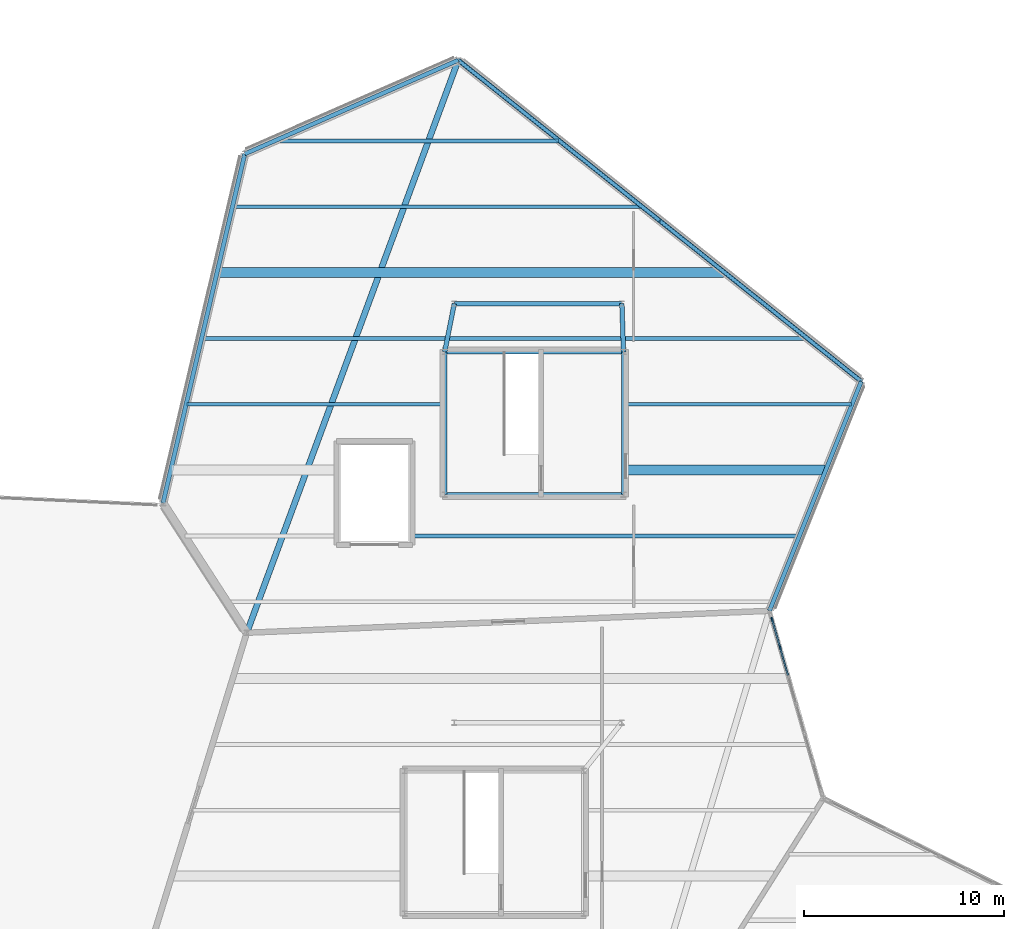
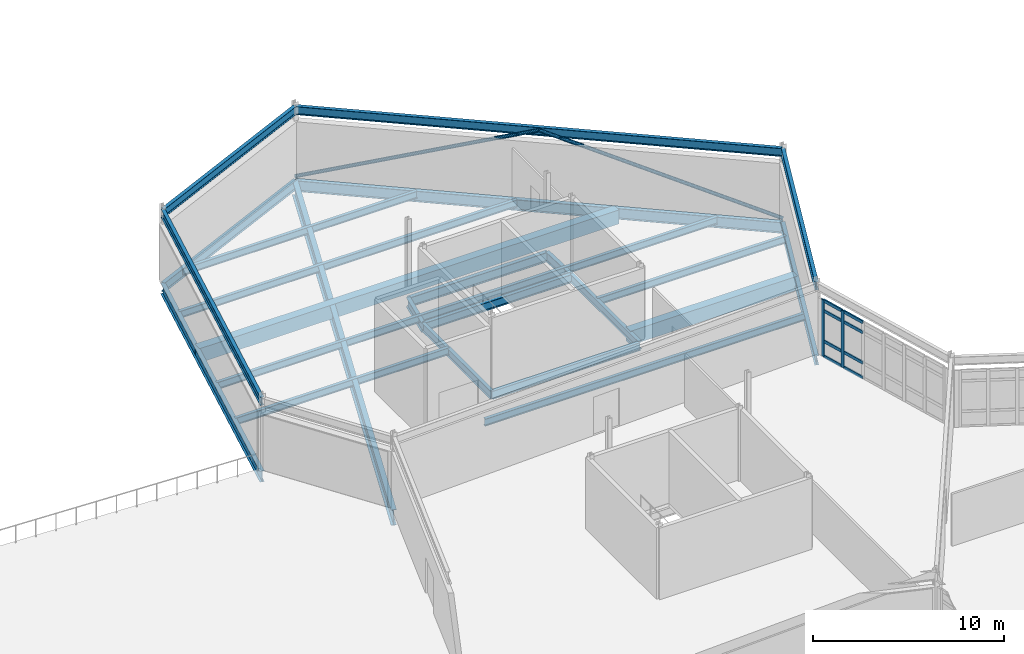
# One storey, part 33 of 76: 24 beams, 12 members, 1 element without a shape of its own.
"""IFC4 building model written with IfcOpenShell, lengths in metres."""

import ifcopenshell
import ifcopenshell.guid

model = None  # the IFC model being written
_history = None  # IfcOwnerHistory: only IFC2X3 demands one
_inside = {}  # id of a spatial element -> (the spatial element, [elements in it])
_under = {}  # id of a project, library or spatial element -> (it, [spatial elements below it])
_declared = {}  # id of a project -> (the project, [libraries it declares])
_typed = {}  # id of a type object -> (the type object, [elements of that type])
_made_of = {}  # id of a material, layer set ... -> (it, [elements and type objects made of it])


def new_model(schema):
    """Start an empty IFC model of exactly this schema.

    Asked for "IFC4X3", IfcOpenShell would pick the latest addendum, in which some entities
    have other attributes; the version numbers below select the first issue.
    IFC2X3 requires an IfcOwnerHistory on every rooted entity: one is made here for all.
    """
    global model, _history
    if schema == "IFC4X3":
        model = ifcopenshell.file(schema_version=(4, 3, 0, 0))
    else:
        model = ifcopenshell.file(schema=schema)
    _inside.clear()
    _under.clear()
    _declared.clear()
    _typed.clear()
    _made_of.clear()
    _history = None
    if model.schema == "IFC2X3":
        org = make("IfcOrganization", Name="unknown")
        user = make(
            "IfcPersonAndOrganization",
            ThePerson=make("IfcPerson", FamilyName="unknown"),
            TheOrganization=org,
        )
        app = make(
            "IfcApplication",
            ApplicationDeveloper=org,
            Version="unknown",
            ApplicationFullName="unknown",
            ApplicationIdentifier="unknown",
        )
        _history = make(
            "IfcOwnerHistory",
            OwningUser=user,
            OwningApplication=app,
            ChangeAction="ADDED",
            CreationDate=0,
        )
    return model


def make(cls, **values):
    """One entity of the class cls with the attributes given. An attribute that is None is left unset."""
    return model.create_entity(
        cls, **{name: value for name, value in values.items() if value is not None}
    )


def rooted(cls, **values):
    """An entity with a GlobalId (a new one), such as an element, a storey or a relation."""
    return make(cls, GlobalId=ifcopenshell.guid.new(), OwnerHistory=_history, **values)


def si_unit(unit_type, name, prefix=None):
    """IfcSIUnit, for example si_unit("LENGTHUNIT", "METRE", prefix="MILLI")."""
    return make("IfcSIUnit", UnitType=unit_type, Prefix=prefix, Name=name)


def assignment(units):
    """IfcUnitAssignment: the units of a project."""
    return None if units is None else make("IfcUnitAssignment", Units=units)


def point(xyz):
    """IfcCartesianPoint."""
    return None if xyz is None else make("IfcCartesianPoint", Coordinates=xyz)


def direction(xyz):
    """IfcDirection."""
    return None if xyz is None else make("IfcDirection", DirectionRatios=xyz)


def frame(location, z_axis=None, x_axis=None):
    """IfcAxis2Placement3D, a coordinate frame: its origin and axes. An axis left out is left unset."""
    return make(
        "IfcAxis2Placement3D",
        Location=point(location),
        Axis=direction(z_axis),
        RefDirection=direction(x_axis),
    )


def frame_2d(location, x_axis=None):
    """IfcAxis2Placement2D, a coordinate frame in the plane: its origin and x axis."""
    return make(
        "IfcAxis2Placement2D", Location=point(location), RefDirection=direction(x_axis)
    )


def origin():
    """The frame at (0, 0, 0) with its axes left unset."""
    return frame((0.0, 0.0, 0.0))


def origin_2d():
    """The frame at (0, 0) in the plane with its x axis left unset."""
    return frame_2d((0.0, 0.0))


def place(relative_to, where):
    """IfcLocalPlacement: puts the frame where relative to a parent placement (None: the world)."""
    return make(
        "IfcLocalPlacement", PlacementRelTo=relative_to, RelativePlacement=where
    )


def context(
    kind, dimensions, precision=None, world=None, true_north=None, identifier=None
):
    """IfcGeometricRepresentationContext, for example the 3D "Model" context."""
    return make(
        "IfcGeometricRepresentationContext",
        ContextIdentifier=identifier,
        ContextType=kind,
        CoordinateSpaceDimension=dimensions,
        Precision=precision,
        WorldCoordinateSystem=world,
        TrueNorth=true_north,
    )


def subcontext(parent, identifier, kind, view, scale=None):
    """IfcGeometricRepresentationSubContext, for example "Body" below "Model"."""
    return make(
        "IfcGeometricRepresentationSubContext",
        ContextIdentifier=identifier,
        ContextType=kind,
        ParentContext=parent,
        TargetScale=scale,
        TargetView=view,
    )


def project(units=None, contexts=None):
    """IfcProject with its units and contexts."""
    return rooted(
        "IfcProject",
        Name="project",
        RepresentationContexts=contexts,
        UnitsInContext=assignment(units),
    )


def spatial(cls, under=None, at=None, **own):
    """A site, building, storey or space (cls), placed at a placement, below another one or the project."""
    s = rooted(cls, ObjectPlacement=at, **own)
    if under is not None:
        _under.setdefault(under.id(), (under, []))[1].append(s)
    return s


def profile(cls, at=None, kind="AREA", **sizes):
    """A parametric profile (cls). Its sizes go by their IFC names, for example OverallWidth=200.0."""
    return make(cls, ProfileType=kind, Position=at, **sizes)


def rectangle(**sizes):
    """IfcRectangleProfileDef."""
    return profile("IfcRectangleProfileDef", **sizes)


def hollow_circle(**sizes):
    """IfcCircleHollowProfileDef."""
    return profile("IfcCircleHollowProfileDef", **sizes)


def i_section(**sizes):
    """IfcIShapeProfileDef."""
    return profile("IfcIShapeProfileDef", **sizes)


def extrude(swept, where, along, depth):
    """IfcExtrudedAreaSolid: the profile swept, set in the frame where, extruded along a direction by depth."""
    return make(
        "IfcExtrudedAreaSolid",
        SweptArea=swept,
        Position=where,
        ExtrudedDirection=direction(along),
        Depth=depth,
    )


def shape(context_of_items, identifier, shape_type, items):
    """IfcShapeRepresentation: the items that make up one representation, for example the "Body"."""
    return make(
        "IfcShapeRepresentation",
        ContextOfItems=context_of_items,
        RepresentationIdentifier=identifier,
        RepresentationType=shape_type,
        Items=items,
    )


def material(Name=None, Category=None):
    """IfcMaterial."""
    return make("IfcMaterial", Name=Name, Category=Category)


def material_profile(
    of_material, cross_section, Name=None, Category=None, Priority=None
):
    """IfcMaterialProfile: a cross section and its material."""
    return make(
        "IfcMaterialProfile",
        Name=Name,
        Material=of_material,
        Profile=cross_section,
        Priority=Priority,
        Category=Category,
    )


def profile_set(profiles, Name=None, composite=None):
    """IfcMaterialProfileSet."""
    return make(
        "IfcMaterialProfileSet",
        Name=Name,
        MaterialProfiles=profiles,
        CompositeProfile=composite,
    )


def made_of(thing, what):
    """Note that an element or type object is made of a material, layer set ...; save() writes the relation."""
    if what is not None:
        _made_of.setdefault(what.id(), (what, []))[1].append(thing)
    return thing


def type_object(cls, material=None, **own):
    """A type object (cls), such as IfcWallType, which elements share."""
    return made_of(rooted(cls, **own), material)


def element(
    cls,
    number,
    at=None,
    inside=None,
    cuts=None,
    type_object=None,
    material=None,
    context=None,
    identifier="Body",
    shape_type=None,
    held_by="IfcProductDefinitionShape",
    body=None,
    shapes=None,
    **own,
):
    """One element of the class cls, such as IfcWall. Its Tag is "e" and its number.

    at: its placement. inside: the storey or other place that contains it. cuts: it is an
    opening in that element (IfcRelVoidsElement). A single representation is given by context,
    identifier, shape_type and body (its items); several are given by shapes. held_by: the class
    of the entity that holds the representations. save() writes the other relations.
    """
    e = rooted(cls, Tag="e%d" % number, ObjectPlacement=at, **own)
    if body is not None:
        shapes = [shape(context, identifier, shape_type, body)]
    if shapes is not None:
        e.Representation = make(held_by, Representations=shapes)
    if inside is not None:
        _inside.setdefault(inside.id(), (inside, []))[1].append(e)
    if cuts is not None:
        rooted(
            "IfcRelVoidsElement", RelatingBuildingElement=cuts, RelatedOpeningElement=e
        )
    if type_object is not None:
        _typed.setdefault(type_object.id(), (type_object, []))[1].append(e)
    return made_of(e, material)


def aggregate(whole, parts):
    """IfcRelAggregates: a whole, such as a stair, and the parts it consists of."""
    return rooted("IfcRelAggregates", RelatingObject=whole, RelatedObjects=parts)


def save(model, path):
    """Write the relations noted so far, then the file.

    IfcRelAggregates (storeys below a building ...), IfcRelContainedInSpatialStructure (elements
    in a storey), IfcRelDefinesByType, IfcRelAssociatesMaterial and IfcRelDeclares: one each for
    every whole, place, type object, material and project.
    """
    for whole, parts in _under.values():
        aggregate(whole, parts)
    for where, things in _inside.values():
        rooted(
            "IfcRelContainedInSpatialStructure",
            RelatedElements=things,
            RelatingStructure=where,
        )
    for kind, things in _typed.values():
        rooted("IfcRelDefinesByType", RelatedObjects=things, RelatingType=kind)
    for what, things in _made_of.values():
        rooted("IfcRelAssociatesMaterial", RelatedObjects=things, RelatingMaterial=what)
    for by, libraries in _declared.values():
        rooted("IfcRelDeclares", RelatingContext=by, RelatedDefinitions=libraries)
    model.write(path)


model = new_model("IFC4")

# Units and contexts
model_context = context("Model", 3, precision=1e-05, world=origin(), true_north=direction((0.0, 1.0)))
body_context = subcontext(model_context, "Body", "Model", "MODEL_VIEW")
ifc_project = project(units=[si_unit("LENGTHUNIT", "METRE"), si_unit("AREAUNIT", "SQUARE_METRE"), si_unit("VOLUMEUNIT", "CUBIC_METRE"), si_unit("PLANEANGLEUNIT", "RADIAN"), si_unit("MASSUNIT", "GRAM", prefix="KILO")], contexts=[model_context])

# Site, building, storey
site_placement = place(None, origin())
site = spatial("IfcSite", under=ifc_project, at=site_placement, CompositionType="ELEMENT")
building_placement = place(site_placement, origin())
building = spatial("IfcBuilding", under=site, at=building_placement, Name="Tameran Prism Museum", CompositionType="ELEMENT")
storey_placement = place(building_placement, frame((0.0, 0.0, 15.0)))
storey = spatial("IfcBuildingStorey", under=building, at=storey_placement, Name="L03", CompositionType="ELEMENT", Elevation=15.0)

# Beams
ifc_material_1 = material(Name="Steel Grade 300PLUS (300 MPa)", Category="steel")
ifc_material_profile_1 = material_profile(ifc_material_1, i_section(OverallWidth=0.19091796875, OverallDepth=0.4599609375, WebThickness=0.010009765625, FlangeThickness=0.01611328125, FilletRadius=0.011474609375, at=origin_2d()))
ifc_profile_set_1 = profile_set([ifc_material_profile_1])
beam_type_1 = type_object("IfcBeamType", Name="BM-J460A", PredefinedType="JOIST", material=ifc_profile_set_1)
beam_1_placement = place(storey_placement, frame((39.8798828125, 86.35009765625, -0.429931640625), z_axis=(1.0, 0.0, 0.0), x_axis=(0.0, 1.0, 0.0)))
element("IfcBeam", 1, at=beam_1_placement, inside=storey, type_object=beam_type_1, Name="Floor Beam BM-1131", PredefinedType="JOIST", context=body_context, shape_type="SweptSolid", body=[
    extrude(i_section(OverallWidth=0.19091796875, OverallDepth=0.4599609375, WebThickness=0.010009765625, FlangeThickness=0.01611328125, FilletRadius=0.011474609375, at=origin_2d()), origin(), (0.0, 0.0, 1.0), 19.377197265625),
])
beam_2_placement = place(storey_placement, frame((28.60107421875, 92.949951171875, -0.429931640625), z_axis=(1.0, 0.0, 0.0), x_axis=(0.0, 1.0, 0.0)))
element("IfcBeam", 2, at=beam_2_placement, inside=storey, type_object=beam_type_1, Name="Floor Beam BM-1134", PredefinedType="JOIST", context=body_context, shape_type="SweptSolid", body=[
    extrude(i_section(OverallWidth=0.19091796875, OverallDepth=0.4599609375, WebThickness=0.010009765625, FlangeThickness=0.01611328125, FilletRadius=0.011474609375, at=origin_2d()), origin(), (0.0, 0.0, 1.0), 12.9189453125),
])
beam_3_placement = place(storey_placement, frame((50.47998046875, 92.949951171875, -0.429931640625), z_axis=(1.0, 0.0, 0.0), x_axis=(0.0, 1.0, 0.0)))
element("IfcBeam", 3, at=beam_3_placement, inside=storey, type_object=beam_type_1, Name="Floor Beam BM-1135", PredefinedType="JOIST", context=body_context, shape_type="SweptSolid", body=[
    extrude(i_section(OverallWidth=0.19091796875, OverallDepth=0.4599609375, WebThickness=0.010009765625, FlangeThickness=0.01611328125, FilletRadius=0.011474609375, at=origin_2d()), origin(), (0.0, 0.0, 1.0), 11.4169921875),
])
beam_4_placement = place(storey_placement, frame((29.3740234375, 96.25, -0.429931640625), z_axis=(1.0, 0.0, 0.0), x_axis=(0.0, 1.0, 0.0)))
element("IfcBeam", 4, at=beam_4_placement, inside=storey, type_object=beam_type_1, Name="Floor Beam BM-1136", PredefinedType="JOIST", context=body_context, shape_type="SweptSolid", body=[
    extrude(i_section(OverallWidth=0.19091796875, OverallDepth=0.4599609375, WebThickness=0.010009765625, FlangeThickness=0.01611328125, FilletRadius=0.011474609375, at=origin_2d()), origin(), (0.0, 0.0, 1.0), 30.263916015625),
])
beam_5_placement = place(storey_placement, frame((30.919921875, 102.85009765625, -0.429931640625), z_axis=(1.0, 0.0, 0.0), x_axis=(0.0, 1.0, 0.0)))
element("IfcBeam", 5, at=beam_5_placement, inside=storey, type_object=beam_type_1, Name="Floor Beam BM-1138", PredefinedType="JOIST", context=body_context, shape_type="SweptSolid", body=[
    extrude(i_section(OverallWidth=0.19091796875, OverallDepth=0.4599609375, WebThickness=0.010009765625, FlangeThickness=0.01611328125, FilletRadius=0.011474609375, at=origin_2d()), origin(), (0.0, 0.0, 1.0), 20.43798828125),
])
beam_6_placement = place(storey_placement, frame((33.0791015625, 106.14990234375, -0.429931640625), z_axis=(1.0, 0.0, 0.0), x_axis=(0.0, 1.0, 0.0)))
element("IfcBeam", 6, at=beam_6_placement, inside=storey, type_object=beam_type_1, Name="Floor Beam BM-1139", PredefinedType="JOIST", context=body_context, shape_type="SweptSolid", body=[
    extrude(i_section(OverallWidth=0.19091796875, OverallDepth=0.4599609375, WebThickness=0.010009765625, FlangeThickness=0.01611328125, FilletRadius=0.011474609375, at=origin_2d()), origin(), (0.0, 0.0, 1.0), 14.137939453125),
])
ifc_material_2 = material(Name="Concrete N40 (40 MPa)", Category="concrete")
ifc_material_profile_2 = material_profile(ifc_material_2, rectangle(XDim=0.5, YDim=0.89990234375, at=origin_2d()))
ifc_profile_set_2 = profile_set([ifc_material_profile_2])
beam_type_2 = type_object("IfcBeamType", Name="BM-RC900", PredefinedType="BEAM", material=ifc_profile_set_2)
beam_7_placement = place(storey_placement, frame((50.47998046875, 89.64990234375, -0.64990234375), z_axis=(1.0, 0.0, 0.0), x_axis=(0.0, 1.0, 0.0)))
element("IfcBeam", 7, at=beam_7_placement, inside=storey, type_object=beam_type_2, Name="Floor Beam BM-1133", PredefinedType="BEAM", context=body_context, shape_type="SweptSolid", body=[
    extrude(rectangle(XDim=0.5, YDim=0.89990234375, at=origin_2d()), origin(), (0.0, 0.0, 1.0), 10.096923828125),
])
beam_8_placement = place(storey_placement, frame((30.14697265625, 99.550048828125, -0.64990234375), z_axis=(1.0, 0.0, 0.0), x_axis=(0.0, 1.0, 0.0)))
element("IfcBeam", 8, at=beam_8_placement, inside=storey, type_object=beam_type_2, Name="Floor Beam BM-1137", PredefinedType="BEAM", context=body_context, shape_type="SweptSolid", body=[
    extrude(rectangle(XDim=0.5, YDim=0.89990234375, at=origin_2d()), origin(), (0.0, 0.0, 1.0), 25.35107421875),
])
ifc_material_3 = material(Name="Steel Grade 300PLUS (300 MPa)", Category="steel")
ifc_material_profile_3 = material_profile(ifc_material_3, i_section(OverallWidth=0.208984375, OverallDepth=0.528076171875, WebThickness=0.009521484375, FlangeThickness=0.01318359375, FilletRadius=0.013916015625, at=origin_2d()))
ifc_profile_set_3 = profile_set([ifc_material_profile_3])
beam_type_3 = type_object("IfcBeamType", Name="BM-SP530B", PredefinedType="SPANDREL", material=ifc_profile_set_3)
beam_9_placement = place(storey_placement, frame((57.800048828125, 82.60009765625, 4.256103515625), z_axis=(0.371380480835, 0.928480769028, 0.0), x_axis=(-0.928480769028, 0.371380480835, 0.0)))
element("IfcBeam", 9, at=beam_9_placement, inside=storey, type_object=beam_type_3, Name="Roof Ring Beam RB-1008", PredefinedType="SPANDREL", context=body_context, shape_type="SweptSolid", body=[
    extrude(i_section(OverallWidth=0.208984375, OverallDepth=0.528076171875, WebThickness=0.009521484375, FlangeThickness=0.01318359375, FilletRadius=0.013916015625, at=origin_2d()), origin(), (0.0, 0.0, 1.0), 12.3857421875),
])
beam_10_placement = place(storey_placement, frame((62.39990234375, 94.10009765625, 4.256103515625), z_axis=(-0.78200261515, 0.623275147827, 0.0), x_axis=(-0.623275147827, -0.78200261515, 0.0)))
element("IfcBeam", 10, at=beam_10_placement, inside=storey, type_object=beam_type_3, Name="Roof Ring Beam RB-1009", PredefinedType="SPANDREL", context=body_context, shape_type="SweptSolid", body=[
    extrude(i_section(OverallWidth=0.208984375, OverallDepth=0.528076171875, WebThickness=0.009521484375, FlangeThickness=0.01318359375, FilletRadius=0.013916015625, at=origin_2d()), origin(), (0.0, 0.0, 1.0), 25.8310546875),
])
beam_11_placement = place(storey_placement, frame((42.199951171875, 110.199951171875, 4.256103515625), z_axis=(-0.915568057854, -0.40216306573, 0.0), x_axis=(0.40216306573, -0.915568057854, 0.0)))
element("IfcBeam", 11, at=beam_11_placement, inside=storey, type_object=beam_type_3, Name="Roof Ring Beam RB-1010", PredefinedType="SPANDREL", context=body_context, shape_type="SweptSolid", body=[
    extrude(i_section(OverallWidth=0.208984375, OverallDepth=0.528076171875, WebThickness=0.009521484375, FlangeThickness=0.01318359375, FilletRadius=0.013916015625, at=origin_2d()), origin(), (0.0, 0.0, 1.0), 11.686767578125),
])
beam_12_placement = place(storey_placement, frame((31.5, 105.5, 4.256103515625), z_axis=(-0.228114067381, -0.973634414071, 0.0), x_axis=(0.973634414071, -0.228114067381, 0.0)))
element("IfcBeam", 12, at=beam_12_placement, inside=storey, type_object=beam_type_3, Name="Roof Ring Beam RB-1011", PredefinedType="SPANDREL", context=body_context, shape_type="SweptSolid", body=[
    extrude(i_section(OverallWidth=0.208984375, OverallDepth=0.528076171875, WebThickness=0.009521484375, FlangeThickness=0.01318359375, FilletRadius=0.013916015625, at=origin_2d()), origin(), (0.0, 0.0, 1.0), 17.973876953125),
])
beam_13_placement = place(storey_placement, frame((41.52001953125, 88.419921875, -0.50390625), z_axis=(1.0, 0.0, 0.0), x_axis=(0.0, 1.0, 0.0)))
element("IfcBeam", 13, at=beam_13_placement, inside=storey, type_object=beam_type_3, Name="Core Ring Beam CTB-1042", PredefinedType="SPANDREL", context=body_context, shape_type="SweptSolid", body=[
    extrude(i_section(OverallWidth=0.208984375, OverallDepth=0.528076171875, WebThickness=0.009521484375, FlangeThickness=0.01318359375, FilletRadius=0.013916015625, at=origin_2d()), origin(), (0.0, 0.0, 1.0), 8.9599609375),
])
beam_14_placement = place(storey_placement, frame((50.47998046875, 88.419921875, -0.50390625), z_axis=(0.0, 1.0, 0.0), x_axis=(-1.0, 0.0, 0.0)))
element("IfcBeam", 14, at=beam_14_placement, inside=storey, type_object=beam_type_3, Name="Core Ring Beam CTB-1043", PredefinedType="SPANDREL", context=body_context, shape_type="SweptSolid", body=[
    extrude(i_section(OverallWidth=0.208984375, OverallDepth=0.528076171875, WebThickness=0.009521484375, FlangeThickness=0.01318359375, FilletRadius=0.013916015625, at=origin_2d()), origin(), (0.0, 0.0, 1.0), 7.16015625),
])
beam_15_placement = place(storey_placement, frame((50.47998046875, 95.580078125, -0.50390625), z_axis=(-1.0, 0.0, 0.0), x_axis=(0.0, -1.0, 0.0)))
element("IfcBeam", 15, at=beam_15_placement, inside=storey, type_object=beam_type_3, Name="Core Ring Beam CTB-1044", PredefinedType="SPANDREL", context=body_context, shape_type="SweptSolid", body=[
    extrude(i_section(OverallWidth=0.208984375, OverallDepth=0.528076171875, WebThickness=0.009521484375, FlangeThickness=0.01318359375, FilletRadius=0.013916015625, at=origin_2d()), origin(), (0.0, 0.0, 1.0), 8.9599609375),
])
beam_16_placement = place(storey_placement, frame((41.52001953125, 95.580078125, -0.50390625), z_axis=(0.0, -1.0, 0.0), x_axis=(1.0, 0.0, 0.0)))
element("IfcBeam", 16, at=beam_16_placement, inside=storey, type_object=beam_type_3, Name="Core Ring Beam CTB-1045", PredefinedType="SPANDREL", context=body_context, shape_type="SweptSolid", body=[
    extrude(i_section(OverallWidth=0.208984375, OverallDepth=0.528076171875, WebThickness=0.009521484375, FlangeThickness=0.01318359375, FilletRadius=0.013916015625, at=origin_2d()), origin(), (0.0, 0.0, 1.0), 7.16015625),
])
ifc_material_4 = material(Name="Steel Grade 300PLUS (300 MPa)", Category="steel")
ifc_material_profile_4 = material_profile(ifc_material_4, i_section(OverallWidth=0.22802734375, OverallDepth=0.60205078125, WebThickness=0.010498046875, FlangeThickness=0.014892578125, FilletRadius=0.013916015625, at=origin_2d()))
ifc_profile_set_4 = profile_set([ifc_material_profile_4])
beam_type_4 = type_object("IfcBeamType", Name="BM-SP610", PredefinedType="SPANDREL", material=ifc_profile_set_4)
beam_17_placement = place(storey_placement, frame((57.800048828125, 82.60009765625, -0.5009765625), z_axis=(0.371380480835, 0.928480769028, 0.0), x_axis=(-0.928480769028, 0.371380480835, 0.0)))
element("IfcBeam", 17, at=beam_17_placement, inside=storey, type_object=beam_type_4, Name="Perimeter Spandrel SP-1003", PredefinedType="SPANDREL", context=body_context, shape_type="SweptSolid", body=[
    extrude(i_section(OverallWidth=0.22802734375, OverallDepth=0.60205078125, WebThickness=0.010498046875, FlangeThickness=0.014892578125, FilletRadius=0.013916015625, at=origin_2d()), origin(), (0.0, 0.0, 1.0), 12.3857421875),
])
beam_18_placement = place(storey_placement, frame((42.199951171875, 110.199951171875, -0.5009765625), z_axis=(-0.915568057854, -0.40216306573, 0.0), x_axis=(0.40216306573, -0.915568057854, 0.0)))
element("IfcBeam", 18, at=beam_18_placement, inside=storey, type_object=beam_type_4, Name="Perimeter Spandrel SP-1005", PredefinedType="SPANDREL", context=body_context, shape_type="SweptSolid", body=[
    extrude(i_section(OverallWidth=0.22802734375, OverallDepth=0.60205078125, WebThickness=0.010498046875, FlangeThickness=0.014892578125, FilletRadius=0.013916015625, at=origin_2d()), origin(), (0.0, 0.0, 1.0), 11.686767578125),
])
ifc_material_5 = material(Name="Steel Grade 350 (350 MPa)", Category="steel")
ifc_material_profile_5 = material_profile(ifc_material_5, i_section(OverallWidth=0.25, OverallDepth=0.699951171875, WebThickness=0.010009765625, FlangeThickness=0.02001953125, at=origin_2d()))
ifc_profile_set_5 = profile_set([ifc_material_profile_5])
beam_type_5 = type_object("IfcBeamType", Name="BM-SP700", PredefinedType="SPANDREL", material=ifc_profile_set_5)
beam_19_placement = place(storey_placement, frame((62.39990234375, 94.10009765625, -0.550048828125), z_axis=(-0.78200261515, 0.623275147827, 0.0), x_axis=(-0.623275147827, -0.78200261515, 0.0)))
element("IfcBeam", 19, at=beam_19_placement, inside=storey, type_object=beam_type_5, Name="Perimeter Spandrel SP-1004", PredefinedType="SPANDREL", context=body_context, shape_type="SweptSolid", body=[
    extrude(i_section(OverallWidth=0.25, OverallDepth=0.699951171875, WebThickness=0.010009765625, FlangeThickness=0.02001953125, at=origin_2d()), origin(), (0.0, 0.0, 1.0), 25.8310546875),
])
beam_20_placement = place(storey_placement, frame((31.5, 105.5, -0.550048828125), z_axis=(-0.228114067381, -0.973634414071, 0.0), x_axis=(0.973634414071, -0.228114067381, 0.0)))
element("IfcBeam", 20, at=beam_20_placement, inside=storey, type_object=beam_type_5, Name="Perimeter Spandrel SP-1006", PredefinedType="SPANDREL", context=body_context, shape_type="SweptSolid", body=[
    extrude(i_section(OverallWidth=0.25, OverallDepth=0.699951171875, WebThickness=0.010009765625, FlangeThickness=0.02001953125, at=origin_2d()), origin(), (0.0, 0.0, 1.0), 17.973876953125),
])
ifc_material_6 = material(Name="Steel Grade 300PLUS (300 MPa)", Category="steel")
ifc_material_profile_6 = material_profile(ifc_material_6, i_section(OverallWidth=0.22900390625, OverallDepth=0.612060546875, WebThickness=0.011962890625, FlangeThickness=0.01953125, FilletRadius=0.013916015625, at=origin_2d()))
ifc_profile_set_6 = profile_set([ifc_material_profile_6])
beam_type_6 = type_object("IfcBeamType", Name="BM-UB610A", PredefinedType="BEAM", material=ifc_profile_set_6)
beam_21_placement = place(storey_placement, frame((42.0, 98.0, -0.56005859375), z_axis=(-0.194555363686, -0.980891538582, 0.0), x_axis=(0.980891538582, -0.194555363686, 0.0)))
element("IfcBeam", 21, at=beam_21_placement, inside=storey, type_object=beam_type_6, Name="Frame Tie Girder FG-1337", PredefinedType="BEAM", context=body_context, shape_type="SweptSolid", body=[
    extrude(i_section(OverallWidth=0.22900390625, OverallDepth=0.612060546875, WebThickness=0.011962890625, FlangeThickness=0.01953125, FilletRadius=0.013916015625, at=origin_2d()), origin(), (0.0, 0.0, 1.0), 2.467041015625),
])
beam_22_placement = place(storey_placement, frame((42.0, 98.0, -0.56005859375), z_axis=(1.0, 0.0, 0.0), x_axis=(0.0, 1.0, 0.0)))
element("IfcBeam", 22, at=beam_22_placement, inside=storey, type_object=beam_type_6, Name="Frame Tie Girder FG-1338", PredefinedType="BEAM", context=body_context, shape_type="SweptSolid", body=[
    extrude(i_section(OverallWidth=0.22900390625, OverallDepth=0.612060546875, WebThickness=0.011962890625, FlangeThickness=0.01953125, FilletRadius=0.013916015625, at=origin_2d()), origin(), (0.0, 0.0, 1.0), 8.39990234375),
])
beam_23_placement = place(storey_placement, frame((50.39990234375, 98.0, -0.56005859375), z_axis=(0.033073099557, -0.999452935403, 0.0), x_axis=(0.999452935403, 0.033073099557, 0.0)))
element("IfcBeam", 23, at=beam_23_placement, inside=storey, type_object=beam_type_6, Name="Frame Tie Girder FG-1342", PredefinedType="BEAM", context=body_context, shape_type="SweptSolid", body=[
    extrude(i_section(OverallWidth=0.22900390625, OverallDepth=0.612060546875, WebThickness=0.011962890625, FlangeThickness=0.01953125, FilletRadius=0.013916015625, at=origin_2d()), origin(), (0.0, 0.0, 1.0), 2.421142578125),
])
ifc_material_7 = material(Name="Steel Grade 350 (350 MPa)", Category="steel")
ifc_material_profile_7 = material_profile(ifc_material_7, i_section(OverallWidth=0.300048828125, OverallDepth=1.0, WebThickness=0.01611328125, FlangeThickness=0.031982421875, at=origin_2d()))
ifc_profile_set_7 = profile_set([ifc_material_profile_7])
beam_type_7 = type_object("IfcBeamType", Name="BM-WB1000", PredefinedType="BEAM", material=ifc_profile_set_7)
beam_24_placement = place(storey_placement, frame((31.60009765625, 81.5, -0.699951171875), z_axis=(0.34645889059, 0.938065156122, 0.0), x_axis=(-0.938065156122, 0.34645889059, 0.0)))
element("IfcBeam", 24, at=beam_24_placement, inside=storey, type_object=beam_type_7, Name="Primary Vertex Girder PG-1013", PredefinedType="BEAM", context=body_context, shape_type="SweptSolid", body=[
    extrude(i_section(OverallWidth=0.300048828125, OverallDepth=1.0, WebThickness=0.01611328125, FlangeThickness=0.031982421875, at=origin_2d()), origin(), (0.0, 0.0, 1.0), 30.5947265625),
])

# Curtain wall, members
ifc_material_8 = material(Name="Anodised Aluminium 6063-T6 and Cyclone Solar Glass", Category="aluminium")
curtain_wall_type = type_object("IfcCurtainWallType", Name="CW-FAC-896x362", PredefinedType="USERDEFINED", material=ifc_material_8)
curtain_wall_placement = place(storey_placement, origin())
curtain_wall = element("IfcCurtainWall", 25, at=curtain_wall_placement, inside=storey, type_object=curtain_wall_type, Name="Unitised Curtain Wall CW-150", ObjectType="UNITISED CURTAIN WALL", PredefinedType="USERDEFINED")
ifc_material_9 = material(Name="Anodised Aluminium Alloy 6063-T6", Category="aluminium")
ifc_material_profile_8 = material_profile(ifc_material_9, rectangle(XDim=0.080078125, YDim=0.219970703125, at=origin_2d()))
ifc_profile_set_8 = profile_set([ifc_material_profile_8])
member_type_1 = type_object("IfcMemberType", Name="CW-MUL-D", PredefinedType="MULLION", material=ifc_profile_set_8)
member_1_placement = place(storey_placement, frame((57.925048828125, 82.16748046875, 0.0), z_axis=(0.0, 0.0, 1.0), x_axis=(0.961186288279, 0.275900197941, 0.0)))
member_1 = element("IfcMember", 26, at=member_1_placement, type_object=member_type_1, Name="CW-150 mullion 1", PredefinedType="MULLION", context=body_context, shape_type="SweptSolid", body=[
    extrude(rectangle(XDim=0.080078125, YDim=0.219970703125, at=origin_2d()), origin(), (0.0, 0.0, 1.0), 3.6201171875),
])
member_2_placement = place(storey_placement, frame((58.325927734375, 80.770751953125, 0.0), z_axis=(0.0, 0.0, 1.0), x_axis=(0.961186288279, 0.275900197941, 0.0)))
member_2 = element("IfcMember", 27, at=member_2_placement, type_object=member_type_1, Name="CW-150 mullion 2", PredefinedType="MULLION", context=body_context, shape_type="SweptSolid", body=[
    extrude(rectangle(XDim=0.080078125, YDim=0.219970703125, at=origin_2d()), origin(), (0.0, 0.0, 1.0), 3.6201171875),
])
ifc_material_10 = material(Name="Anodised Aluminium Alloy 6063-T6", Category="aluminium")
ifc_material_profile_9 = material_profile(ifc_material_10, rectangle(XDim=0.080078125, YDim=0.195068359375, at=origin_2d()))
ifc_profile_set_9 = profile_set([ifc_material_profile_9])
member_type_2 = type_object("IfcMemberType", Name="CW-TRN-D", PredefinedType="USERDEFINED", material=ifc_profile_set_9)
member_3_placement = place(storey_placement, frame((57.93603515625, 82.129150390625, 0.0400390625), z_axis=(0.275894858181, -0.961187820995, 0.0), x_axis=(0.961187820995, 0.275894858181, 0.0)))
member_3 = element("IfcMember", 28, at=member_3_placement, type_object=member_type_2, Name="CW-150 transom 1.1", ObjectType="TRANSOM", PredefinedType="USERDEFINED", context=body_context, shape_type="SweptSolid", body=[
    extrude(rectangle(XDim=0.080078125, YDim=0.195068359375, at=origin_2d()), origin(), (0.0, 0.0, 1.0), 1.373291015625),
])
member_4_placement = place(storey_placement, frame((57.93603515625, 82.129150390625, 1.0), z_axis=(0.275894858181, -0.961187820995, 0.0), x_axis=(0.961187820995, 0.275894858181, 0.0)))
member_4 = element("IfcMember", 29, at=member_4_placement, type_object=member_type_2, Name="CW-150 transom 1.2", ObjectType="TRANSOM", PredefinedType="USERDEFINED", context=body_context, shape_type="SweptSolid", body=[
    extrude(rectangle(XDim=0.080078125, YDim=0.195068359375, at=origin_2d()), origin(), (0.0, 0.0, 1.0), 1.373291015625),
])
member_5_placement = place(storey_placement, frame((57.93603515625, 82.129150390625, 2.93994140625), z_axis=(0.275894858181, -0.961187820995, 0.0), x_axis=(0.961187820995, 0.275894858181, 0.0)))
member_5 = element("IfcMember", 30, at=member_5_placement, type_object=member_type_2, Name="CW-150 transom 1.3", ObjectType="TRANSOM", PredefinedType="USERDEFINED", context=body_context, shape_type="SweptSolid", body=[
    extrude(rectangle(XDim=0.080078125, YDim=0.195068359375, at=origin_2d()), origin(), (0.0, 0.0, 1.0), 1.373291015625),
])
member_6_placement = place(storey_placement, frame((57.93603515625, 82.129150390625, 3.580078125), z_axis=(0.275894858181, -0.961187820995, 0.0), x_axis=(0.961187820995, 0.275894858181, 0.0)))
member_6 = element("IfcMember", 31, at=member_6_placement, type_object=member_type_2, Name="CW-150 transom 1.4", ObjectType="TRANSOM", PredefinedType="USERDEFINED", context=body_context, shape_type="SweptSolid", body=[
    extrude(rectangle(XDim=0.080078125, YDim=0.195068359375, at=origin_2d()), origin(), (0.0, 0.0, 1.0), 1.373291015625),
])
member_7_placement = place(storey_placement, frame((58.3369140625, 80.732177734375, 0.0400390625), z_axis=(0.2760441483, -0.961144956908, 0.0), x_axis=(0.961144956908, 0.2760441483, 0.0)))
member_7 = element("IfcMember", 32, at=member_7_placement, type_object=member_type_2, Name="CW-150 transom 2.1", ObjectType="TRANSOM", PredefinedType="USERDEFINED", context=body_context, shape_type="SweptSolid", body=[
    extrude(rectangle(XDim=0.080078125, YDim=0.195068359375, at=origin_2d()), origin(), (0.0, 0.0, 1.0), 1.413330078125),
])
member_8_placement = place(storey_placement, frame((58.3369140625, 80.732177734375, 1.0), z_axis=(0.2760441483, -0.961144956908, 0.0), x_axis=(0.961144956908, 0.2760441483, 0.0)))
member_8 = element("IfcMember", 33, at=member_8_placement, type_object=member_type_2, Name="CW-150 transom 2.2", ObjectType="TRANSOM", PredefinedType="USERDEFINED", context=body_context, shape_type="SweptSolid", body=[
    extrude(rectangle(XDim=0.080078125, YDim=0.195068359375, at=origin_2d()), origin(), (0.0, 0.0, 1.0), 1.413330078125),
])
member_9_placement = place(storey_placement, frame((58.3369140625, 80.732177734375, 2.93994140625), z_axis=(0.2760441483, -0.961144956908, 0.0), x_axis=(0.961144956908, 0.2760441483, 0.0)))
member_9 = element("IfcMember", 34, at=member_9_placement, type_object=member_type_2, Name="CW-150 transom 2.3", ObjectType="TRANSOM", PredefinedType="USERDEFINED", context=body_context, shape_type="SweptSolid", body=[
    extrude(rectangle(XDim=0.080078125, YDim=0.195068359375, at=origin_2d()), origin(), (0.0, 0.0, 1.0), 1.413330078125),
])
member_10_placement = place(storey_placement, frame((58.3369140625, 80.732177734375, 3.580078125), z_axis=(0.2760441483, -0.961144956908, 0.0), x_axis=(0.961144956908, 0.2760441483, 0.0)))
member_10 = element("IfcMember", 35, at=member_10_placement, type_object=member_type_2, Name="CW-150 transom 2.4", ObjectType="TRANSOM", PredefinedType="USERDEFINED", context=body_context, shape_type="SweptSolid", body=[
    extrude(rectangle(XDim=0.080078125, YDim=0.195068359375, at=origin_2d()), origin(), (0.0, 0.0, 1.0), 1.413330078125),
])
aggregate(curtain_wall, [member_1, member_2, member_3, member_4, member_5, member_6, member_7, member_8, member_9, member_10])

# Members
ifc_material_11 = material(Name="Steel Grade C350L0 (350 MPa)", Category="steel")
ifc_material_profile_10 = material_profile(ifc_material_11, hollow_circle(Radius=0.109619140625, WallThickness=0.00830078125, at=origin_2d()))
ifc_profile_set_10 = profile_set([ifc_material_profile_10])
member_type_3 = type_object("IfcMemberType", Name="MM-BR-CHS219", PredefinedType="BRACE", material=ifc_profile_set_10)
member_11_placement = place(storey_placement, frame((62.39990234375, 94.10009765625, 0.0), z_axis=(-0.741961031028, 0.59135920895, 0.315892567853), x_axis=(-0.623273974648, -0.782003550201, 0.0)))
element("IfcMember", 36, at=member_11_placement, inside=storey, type_object=member_type_3, Name="Lateral Chevron Brace CBF-011", PredefinedType="BRACE", context=body_context, shape_type="SweptSolid", body=[
    extrude(hollow_circle(Radius=0.109619140625, WallThickness=0.00830078125, at=origin_2d()), origin(), (0.0, 0.0, 1.0), 13.6123046875),
])
member_12_placement = place(storey_placement, frame((42.199951171875, 110.199951171875, 0.0), z_axis=(0.741961223412, -0.591363002649, 0.31588501397), x_axis=(0.623276320973, 0.782001680122, 0.0)))
element("IfcMember", 37, at=member_12_placement, inside=storey, type_object=member_type_3, Name="Lateral Chevron Brace CBF-012", PredefinedType="BRACE", context=body_context, shape_type="SweptSolid", body=[
    extrude(hollow_circle(Radius=0.109619140625, WallThickness=0.00830078125, at=origin_2d()), origin(), (0.0, 0.0, 1.0), 13.61279296875),
])

save(model, "model.ifc")
